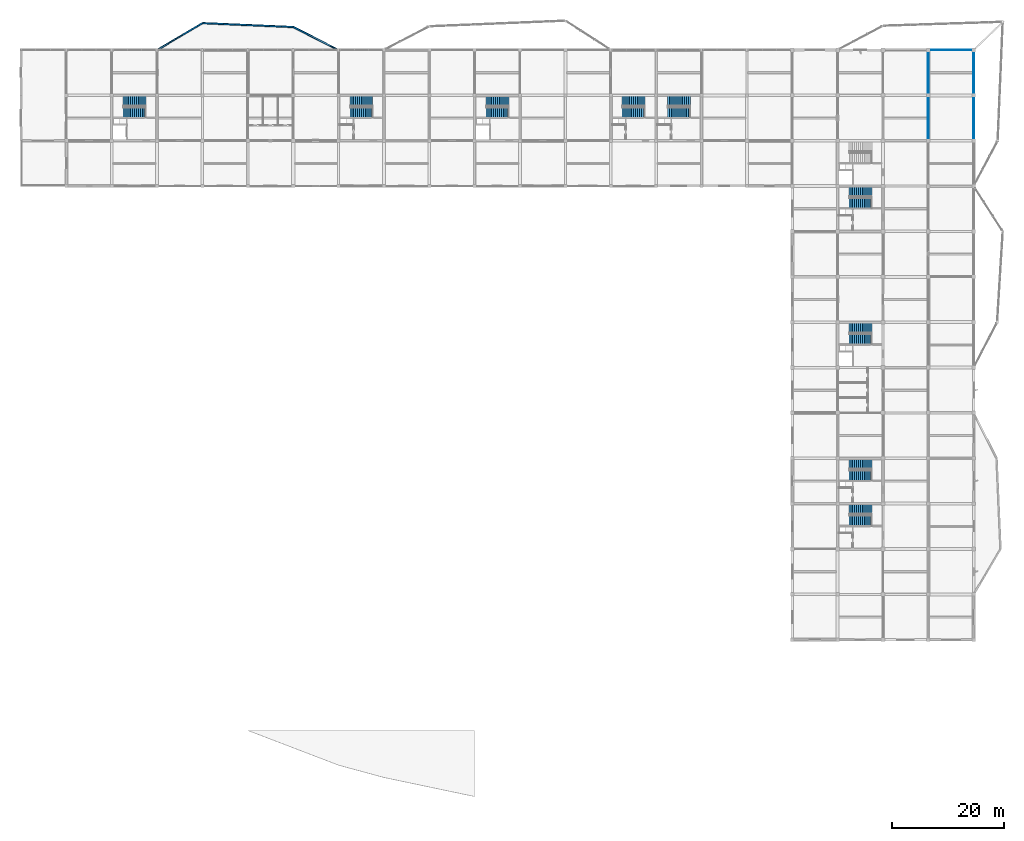
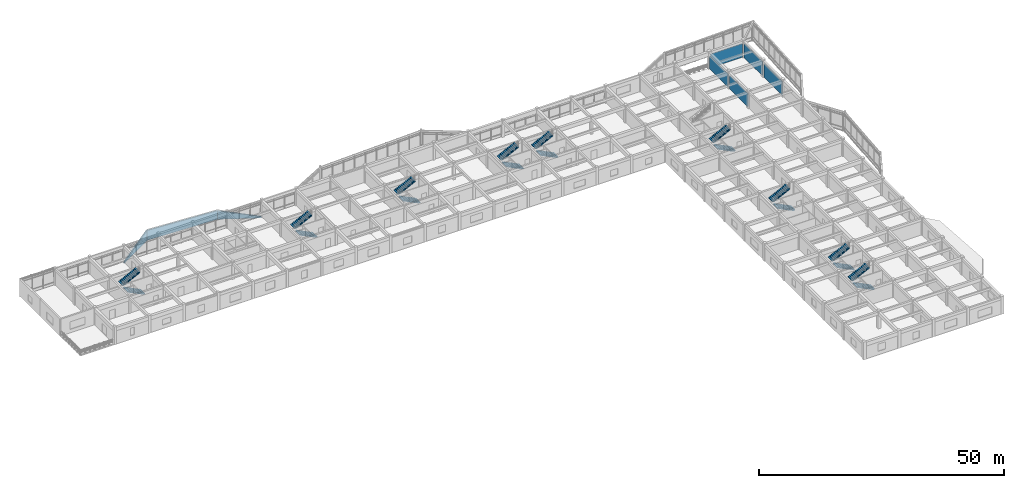
# One storey, part 35 of 42: 18 stair flights, 8 walls, 9 elements without a shape of their own.
"""IFC4 building model written with IfcOpenShell, lengths in metres."""

from ifc_helpers import new_model, si_unit, direction, frame, frame_2d, origin, place, context, subcontext, project, spatial, polyline, rectangle, outline, extrude, material, layer, layer_set, type_object, element, aggregate, save


model = new_model("IFC4")

# Units and contexts
model_context = context("Model", 3, precision=1e-05, world=origin(), true_north=direction((0.0, 1.0)))
body_context = subcontext(model_context, "Body", "Model", "MODEL_VIEW")
ifc_project = project(units=[si_unit("LENGTHUNIT", "METRE"), si_unit("AREAUNIT", "SQUARE_METRE"), si_unit("VOLUMEUNIT", "CUBIC_METRE"), si_unit("PLANEANGLEUNIT", "RADIAN"), si_unit("MASSUNIT", "GRAM", prefix="KILO")], contexts=[model_context])

# Site, building, storey
site_placement = place(None, origin())
site = spatial("IfcSite", under=ifc_project, at=site_placement, CompositionType="ELEMENT")
building_placement = place(site_placement, origin())
building = spatial("IfcBuilding", under=site, at=building_placement, Name="Vaudrelin Polytechnic", CompositionType="ELEMENT")
storey_placement = place(building_placement, frame((0.0, 0.0, 18.530029296875)))
storey = spatial("IfcBuildingStorey", under=building, at=storey_placement, Name="L04", CompositionType="ELEMENT", Elevation=18.530029296875)

# Walls
ifc_material_1 = material(Name="Precast concrete 35 MPa with standing-seam zinc rainscreen", Category="concrete")
ifc_layer_1 = layer(ifc_material_1, 0.260009765625)
ifc_layer_set_1 = layer_set([ifc_layer_1], Name="Precast concrete 35 MPa with standing-seam zinc rainscreen")
wall_type_1 = type_object("IfcWallType", Name="WAL-EW-CLER260", PredefinedType="STANDARD", material=ifc_layer_set_1)
wall_1_placement = place(storey_placement, frame((24.317138671875, 121.51025390625, -0.35009765625), z_axis=(0.0, 0.0, 1.0), x_axis=(0.860297032473, 0.509793110897, 0.0)))
element("IfcWall", 1, at=wall_1_placement, inside=storey, type_object=wall_type_1, Name="Deconstructivist pod clerestory N_OR1-1", PredefinedType="STANDARD", context=body_context, shape_type="SweptSolid", body=[
    extrude(outline(polyline([(0.0, 0.0), (9.37548828125, 0.0), (9.37548828125, 2.4599609375), (0.0, 0.360107421875), (0.0, 0.0)])), frame((0.0, 0.1298828125, 0.0), z_axis=(0.0, -1.0, 0.0), x_axis=(1.0, 0.0, 0.0)), (0.0, 0.0, 1.0), 0.260009765625),
])
wall_2_placement = place(storey_placement, frame((32.419921875, 126.299072265625, -0.35009765625), z_axis=(0.0, 0.0, 1.0), x_axis=(0.999067854956, -0.043167362599, 0.0)))
element("IfcWall", 2, at=wall_2_placement, inside=storey, type_object=wall_type_1, Name="Deconstructivist pod clerestory N_OR1-2", PredefinedType="STANDARD", context=body_context, shape_type="SweptSolid", body=[
    extrude(outline(polyline([(0.0, 0.0), (16.17529296875, 0.0), (16.175048828125, 2.15380859375), (0.0, 2.4599609375), (0.0, 0.0)])), frame((0.0, 0.1298828125, 0.0), z_axis=(0.0, -1.0, 0.0), x_axis=(1.0, 0.0, 0.0)), (0.0, 0.0, 1.0), 0.260009765625),
])
wall_3_placement = place(storey_placement, frame((48.617919921875, 125.591064453125, -0.35009765625), z_axis=(0.0, 0.0, 1.0), x_axis=(0.892206758846, -0.451627168657, 0.0)))
element("IfcWall", 3, at=wall_3_placement, inside=storey, type_object=wall_type_1, Name="Deconstructivist pod clerestory N_OR1-3", PredefinedType="STANDARD", context=body_context, shape_type="SweptSolid", body=[
    extrude(outline(polyline([(0.0, 0.0), (9.03857421875, 0.0), (9.03857421875, 0.360107421875), (0.0, 2.15380859375), (0.0, 0.0)])), frame((0.0, 0.1298828125, 0.0), z_axis=(0.0, -1.0, 0.0), x_axis=(1.0, 0.0, 0.0)), (0.0, 0.0, 1.0), 0.260009765625),
])
ifc_material_2 = material(Name="Acoustic steel-stud office & study room partition", Category="steel")
ifc_layer_2 = layer(ifc_material_2, 0.135009765625)
ifc_layer_set_2 = layer_set([ifc_layer_2], Name="Acoustic steel-stud office & study room partition")
wall_type_2 = type_object("IfcWallType", Name="WAL-PW-OFF135", PredefinedType="PARTITIONING", material=ifc_layer_set_2)
wall_4_placement = place(storey_placement, frame((162.0, 105.623046875, 0.0), z_axis=(0.0, 0.0, 1.0), x_axis=(0.0, 1.0, 0.0)))
element("IfcWall", 4, at=wall_4_placement, inside=storey, type_object=wall_type_2, Name="Partition L04-017 W", PredefinedType="PARTITIONING", context=body_context, shape_type="SweptSolid", body=[
    extrude(rectangle(XDim=7.453857421875, YDim=0.135009765625, at=frame_2d((3.72705078125, 0.0))), origin(), (0.0, 0.0, 1.0), 3.31201171875),
])
wall_5_placement = place(storey_placement, frame((162.0, 113.722900390625, 0.0), z_axis=(0.0, 0.0, 1.0), x_axis=(0.0, 1.0, 0.0)))
element("IfcWall", 5, at=wall_5_placement, inside=storey, type_object=wall_type_2, Name="Partition L04-017 W", PredefinedType="PARTITIONING", context=body_context, shape_type="SweptSolid", body=[
    extrude(rectangle(XDim=7.4541015625, YDim=0.135009765625, at=frame_2d((3.72705078125, 0.0))), origin(), (0.0, 0.0, 1.0), 3.2119140625),
])
wall_6_placement = place(storey_placement, frame((162.322998046875, 121.5, 0.0), z_axis=(0.0, 0.0, 1.0), x_axis=(1.0, 0.0, 0.0)))
element("IfcWall", 6, at=wall_6_placement, inside=storey, type_object=wall_type_2, Name="Partition L04-017 N", PredefinedType="PARTITIONING", context=body_context, shape_type="SweptSolid", body=[
    extrude(rectangle(XDim=7.4541015625, YDim=0.135009765625, at=frame_2d((3.72705078125, 0.0))), origin(), (0.0, 0.0, 1.0), 3.411865234375),
])
wall_7_placement = place(storey_placement, frame((170.10009765625, 105.623046875, 0.0), z_axis=(0.0, 0.0, 1.0), x_axis=(0.0, 1.0, 0.0)))
element("IfcWall", 7, at=wall_7_placement, inside=storey, type_object=wall_type_2, Name="Partition L04-017 E", PredefinedType="PARTITIONING", context=body_context, shape_type="SweptSolid", body=[
    extrude(rectangle(XDim=7.453857421875, YDim=0.135009765625, at=frame_2d((3.72705078125, 0.0))), origin(), (0.0, 0.0, 1.0), 3.411865234375),
])
wall_8_placement = place(storey_placement, frame((170.10009765625, 113.722900390625, 0.0), z_axis=(0.0, 0.0, 1.0), x_axis=(0.0, 1.0, 0.0)))
element("IfcWall", 8, at=wall_8_placement, inside=storey, type_object=wall_type_2, Name="Partition L04-017 E", PredefinedType="PARTITIONING", context=body_context, shape_type="SweptSolid", body=[
    extrude(rectangle(XDim=7.4541015625, YDim=0.135009765625, at=frame_2d((3.72705078125, 0.0))), origin(), (0.0, 0.0, 1.0), 3.511962890625),
])

# Stair, stair flights
ifc_material_3 = material(Name="Concrete 35 MPa", Category="concrete")
stair_type = type_object("IfcStairType", Name="STR-ST-CORE", PredefinedType="TWO_STRAIGHT_RUN_STAIR", material=ifc_material_3)
stair_1_placement = place(storey_placement, origin())
stair_1 = element("IfcStair", 9, at=stair_1_placement, inside=storey, type_object=stair_type, Name="Exit stair ST-01-L04", PredefinedType="TWO_STRAIGHT_RUN_STAIR")
stair_flight_type = type_object("IfcStairFlightType", Name="STF-STF-CORE", PredefinedType="STRAIGHT", material=ifc_material_3)
stair_flight_1_placement = place(storey_placement, frame((22.340087890625, 110.3701171875, 0.0), z_axis=(0.0, 0.0, 1.0), x_axis=(-1.0, 0.0, 0.0)))
stair_flight_1 = element("IfcStairFlight", 10, at=stair_flight_1_placement, type_object=stair_flight_type, Name="ST-01-L04 flight 1", NumberOfRisers=13, NumberOfTreads=12, PredefinedType="STRAIGHT", RiserHeight=0.17, TreadLength=0.34417, context=body_context, shape_type="SweptSolid", body=[
    extrude(outline(polyline([(0.0, 0.0), (0.0, 0.169921875), (0.34423828125, 0.169921875), (0.34423828125, 0.340087890625), (0.688232421875, 0.340087890625), (0.688232421875, 0.510009765625), (1.032470703125, 0.510009765625), (1.032470703125, 0.679931640625), (1.376708984375, 0.679931640625), (1.376708984375, 0.85009765625), (1.720947265625, 0.85009765625), (1.720947265625, 1.02001953125), (2.06494140625, 1.02001953125), (2.06494140625, 1.18994140625), (2.4091796875, 1.18994140625), (2.4091796875, 1.360107421875), (2.75341796875, 1.360107421875), (2.75341796875, 1.530029296875), (3.097412109375, 1.530029296875), (3.097412109375, 1.699951171875), (3.441650390625, 1.699951171875), (3.441650390625, 1.8701171875), (3.785888671875, 1.8701171875), (3.785888671875, 2.0400390625), (4.130126953125, 2.0400390625), (4.130126953125, 2.2099609375), (4.130126953125, 1.81689453125), (0.451416015625, 0.0), (0.0, 0.0)])), frame((0.0, 0.91015625, 0.0), z_axis=(0.0, -1.0, 0.0), x_axis=(1.0, 0.0, 0.0)), (0.0, 0.0, 1.0), 1.820068359375),
])
stair_flight_2_placement = place(storey_placement, frame((18.2099609375, 112.389892578125, 2.2099609375), z_axis=(0.0, 0.0, 1.0), x_axis=(1.0, 0.0, 0.0)))
stair_flight_2 = element("IfcStairFlight", 11, at=stair_flight_2_placement, type_object=stair_flight_type, Name="ST-01-L04 flight 2", NumberOfRisers=13, NumberOfTreads=12, PredefinedType="STRAIGHT", RiserHeight=0.17, TreadLength=0.34083, context=body_context, shape_type="SweptSolid", body=[
    extrude(outline(polyline([(0.0, 0.0), (0.0, 0.169921875), (0.3408203125, 0.169921875), (0.3408203125, 0.340087890625), (0.681640625, 0.340087890625), (0.681640625, 0.510009765625), (1.0224609375, 0.510009765625), (1.0224609375, 0.679931640625), (1.36328125, 0.679931640625), (1.36328125, 0.85009765625), (1.7041015625, 0.85009765625), (1.7041015625, 1.02001953125), (2.044921875, 1.02001953125), (2.044921875, 1.18994140625), (2.3857421875, 1.18994140625), (2.3857421875, 1.360107421875), (2.7265625, 1.360107421875), (2.7265625, 1.530029296875), (3.0673828125, 1.530029296875), (3.0673828125, 1.699951171875), (3.408203125, 1.699951171875), (3.408203125, 1.8701171875), (3.7490234375, 1.8701171875), (3.7490234375, 2.0400390625), (4.08984375, 2.0400390625), (4.08984375, 2.2099609375), (4.08984375, 1.816650390625), (0.447998046875, 0.0), (0.0, 0.0)])), frame((0.0, 0.91015625, 0.0), z_axis=(0.0, -1.0, 0.0), x_axis=(1.0, 0.0, 0.0)), (0.0, 0.0, 1.0), 1.820068359375),
])
aggregate(stair_1, [stair_flight_1, stair_flight_2])

stair_2_placement = place(storey_placement, origin())
stair_2 = element("IfcStair", 12, at=stair_2_placement, inside=storey, type_object=stair_type, Name="Exit stair ST-02-L04", PredefinedType="TWO_STRAIGHT_RUN_STAIR")
stair_flight_3_placement = place(storey_placement, frame((87.139892578125, 110.3701171875, 0.0), z_axis=(0.0, 0.0, 1.0), x_axis=(-1.0, 0.0, 0.0)))
stair_flight_3 = element("IfcStairFlight", 13, at=stair_flight_3_placement, type_object=stair_flight_type, Name="ST-02-L04 flight 1", NumberOfRisers=13, NumberOfTreads=12, PredefinedType="STRAIGHT", RiserHeight=0.17, TreadLength=0.34417, context=body_context, shape_type="SweptSolid", body=[
    extrude(outline(polyline([(0.0, 0.0), (0.0, 0.169921875), (0.34423828125, 0.169921875), (0.34423828125, 0.340087890625), (0.688232421875, 0.340087890625), (0.688232421875, 0.510009765625), (1.032470703125, 0.510009765625), (1.032470703125, 0.679931640625), (1.376708984375, 0.679931640625), (1.376708984375, 0.85009765625), (1.720947265625, 0.85009765625), (1.720947265625, 1.02001953125), (2.06494140625, 1.02001953125), (2.06494140625, 1.18994140625), (2.4091796875, 1.18994140625), (2.4091796875, 1.360107421875), (2.75341796875, 1.360107421875), (2.75341796875, 1.530029296875), (3.097412109375, 1.530029296875), (3.097412109375, 1.699951171875), (3.441650390625, 1.699951171875), (3.441650390625, 1.8701171875), (3.785888671875, 1.8701171875), (3.785888671875, 2.0400390625), (4.130126953125, 2.0400390625), (4.130126953125, 2.2099609375), (4.130126953125, 1.81689453125), (0.451416015625, 0.0), (0.0, 0.0)])), frame((0.0, 0.91015625, 0.0), z_axis=(0.0, -1.0, 0.0), x_axis=(1.0, 0.0, 0.0)), (0.0, 0.0, 1.0), 1.820068359375),
])
stair_flight_4_placement = place(storey_placement, frame((83.010009765625, 112.389892578125, 2.2099609375), z_axis=(0.0, 0.0, 1.0), x_axis=(1.0, 0.0, 0.0)))
stair_flight_4 = element("IfcStairFlight", 14, at=stair_flight_4_placement, type_object=stair_flight_type, Name="ST-02-L04 flight 2", NumberOfRisers=13, NumberOfTreads=12, PredefinedType="STRAIGHT", RiserHeight=0.17, TreadLength=0.34083, context=body_context, shape_type="SweptSolid", body=[
    extrude(outline(polyline([(0.0, 0.0), (0.0, 0.169921875), (0.3408203125, 0.169921875), (0.3408203125, 0.340087890625), (0.681640625, 0.340087890625), (0.681640625, 0.510009765625), (1.0224609375, 0.510009765625), (1.0224609375, 0.679931640625), (1.36328125, 0.679931640625), (1.36328125, 0.85009765625), (1.7041015625, 0.85009765625), (1.7041015625, 1.02001953125), (2.044921875, 1.02001953125), (2.044921875, 1.18994140625), (2.3857421875, 1.18994140625), (2.3857421875, 1.360107421875), (2.7265625, 1.360107421875), (2.7265625, 1.530029296875), (3.0673828125, 1.530029296875), (3.0673828125, 1.699951171875), (3.408203125, 1.699951171875), (3.408203125, 1.8701171875), (3.7490234375, 1.8701171875), (3.7490234375, 2.0400390625), (4.08984375, 2.0400390625), (4.08984375, 2.2099609375), (4.08984375, 1.816650390625), (0.447998046875, 0.0), (0.0, 0.0)])), frame((0.0, 0.91015625, 0.0), z_axis=(0.0, -1.0, 0.0), x_axis=(1.0, 0.0, 0.0)), (0.0, 0.0, 1.0), 1.820068359375),
])
aggregate(stair_2, [stair_flight_3, stair_flight_4])

stair_3_placement = place(storey_placement, origin())
stair_3 = element("IfcStair", 15, at=stair_3_placement, inside=storey, type_object=stair_type, Name="Exit stair ST-07-L04", PredefinedType="TWO_STRAIGHT_RUN_STAIR")
stair_flight_5_placement = place(storey_placement, frame((151.93994140625, 69.8701171875, 0.0), z_axis=(0.0, 0.0, 1.0), x_axis=(-1.0, 0.0, 0.0)))
stair_flight_5 = element("IfcStairFlight", 16, at=stair_flight_5_placement, type_object=stair_flight_type, Name="ST-07-L04 flight 1", NumberOfRisers=13, NumberOfTreads=12, PredefinedType="STRAIGHT", RiserHeight=0.17, TreadLength=0.34417, context=body_context, shape_type="SweptSolid", body=[
    extrude(outline(polyline([(0.0, 0.0), (0.0, 0.169921875), (0.34423828125, 0.169921875), (0.34423828125, 0.340087890625), (0.688232421875, 0.340087890625), (0.688232421875, 0.510009765625), (1.032470703125, 0.510009765625), (1.032470703125, 0.679931640625), (1.376708984375, 0.679931640625), (1.376708984375, 0.85009765625), (1.720947265625, 0.85009765625), (1.720947265625, 1.02001953125), (2.06494140625, 1.02001953125), (2.06494140625, 1.18994140625), (2.4091796875, 1.18994140625), (2.4091796875, 1.360107421875), (2.75341796875, 1.360107421875), (2.75341796875, 1.530029296875), (3.097412109375, 1.530029296875), (3.097412109375, 1.699951171875), (3.441650390625, 1.699951171875), (3.441650390625, 1.8701171875), (3.785888671875, 1.8701171875), (3.785888671875, 2.0400390625), (4.130126953125, 2.0400390625), (4.130126953125, 2.2099609375), (4.130126953125, 1.81689453125), (0.451416015625, 0.0), (0.0, 0.0)])), frame((0.0, 0.91015625, 0.0), z_axis=(0.0, -1.0, 0.0), x_axis=(1.0, 0.0, 0.0)), (0.0, 0.0, 1.0), 1.820068359375),
])
stair_flight_6_placement = place(storey_placement, frame((147.81005859375, 71.889892578125, 2.2099609375), z_axis=(0.0, 0.0, 1.0), x_axis=(1.0, 0.0, 0.0)))
stair_flight_6 = element("IfcStairFlight", 17, at=stair_flight_6_placement, type_object=stair_flight_type, Name="ST-07-L04 flight 2", NumberOfRisers=13, NumberOfTreads=12, PredefinedType="STRAIGHT", RiserHeight=0.17, TreadLength=0.34083, context=body_context, shape_type="SweptSolid", body=[
    extrude(outline(polyline([(0.0, 0.0), (0.0, 0.169921875), (0.3408203125, 0.169921875), (0.3408203125, 0.340087890625), (0.681640625, 0.340087890625), (0.681640625, 0.510009765625), (1.0224609375, 0.510009765625), (1.0224609375, 0.679931640625), (1.36328125, 0.679931640625), (1.36328125, 0.85009765625), (1.7041015625, 0.85009765625), (1.7041015625, 1.02001953125), (2.044921875, 1.02001953125), (2.044921875, 1.18994140625), (2.3857421875, 1.18994140625), (2.3857421875, 1.360107421875), (2.7265625, 1.360107421875), (2.7265625, 1.530029296875), (3.0673828125, 1.530029296875), (3.0673828125, 1.699951171875), (3.408203125, 1.699951171875), (3.408203125, 1.8701171875), (3.7490234375, 1.8701171875), (3.7490234375, 2.0400390625), (4.08984375, 2.0400390625), (4.08984375, 2.2099609375), (4.08984375, 1.816650390625), (0.447998046875, 0.0), (0.0, 0.0)])), frame((0.0, 0.91015625, 0.0), z_axis=(0.0, -1.0, 0.0), x_axis=(1.0, 0.0, 0.0)), (0.0, 0.0, 1.0), 1.820068359375),
])
aggregate(stair_3, [stair_flight_5, stair_flight_6])

stair_4_placement = place(storey_placement, origin())
stair_4 = element("IfcStair", 18, at=stair_4_placement, inside=storey, type_object=stair_type, Name="Exit stair ST-08-L04", PredefinedType="TWO_STRAIGHT_RUN_STAIR")
stair_flight_7_placement = place(storey_placement, frame((151.93994140625, 37.469970703125, 0.0), z_axis=(0.0, 0.0, 1.0), x_axis=(-1.0, 0.0, 0.0)))
stair_flight_7 = element("IfcStairFlight", 19, at=stair_flight_7_placement, type_object=stair_flight_type, Name="ST-08-L04 flight 1", NumberOfRisers=13, NumberOfTreads=12, PredefinedType="STRAIGHT", RiserHeight=0.17, TreadLength=0.34417, context=body_context, shape_type="SweptSolid", body=[
    extrude(outline(polyline([(0.0, 0.0), (0.0, 0.169921875), (0.34423828125, 0.169921875), (0.34423828125, 0.340087890625), (0.688232421875, 0.340087890625), (0.688232421875, 0.510009765625), (1.032470703125, 0.510009765625), (1.032470703125, 0.679931640625), (1.376708984375, 0.679931640625), (1.376708984375, 0.85009765625), (1.720947265625, 0.85009765625), (1.720947265625, 1.02001953125), (2.06494140625, 1.02001953125), (2.06494140625, 1.18994140625), (2.4091796875, 1.18994140625), (2.4091796875, 1.360107421875), (2.75341796875, 1.360107421875), (2.75341796875, 1.530029296875), (3.097412109375, 1.530029296875), (3.097412109375, 1.699951171875), (3.441650390625, 1.699951171875), (3.441650390625, 1.8701171875), (3.785888671875, 1.8701171875), (3.785888671875, 2.0400390625), (4.130126953125, 2.0400390625), (4.130126953125, 2.2099609375), (4.130126953125, 1.81689453125), (0.451416015625, 0.0), (0.0, 0.0)])), frame((0.0, 0.91015625, 0.0), z_axis=(0.0, -1.0, 0.0), x_axis=(1.0, 0.0, 0.0)), (0.0, 0.0, 1.0), 1.820068359375),
])
stair_flight_8_placement = place(storey_placement, frame((147.81005859375, 39.489990234375, 2.2099609375), z_axis=(0.0, 0.0, 1.0), x_axis=(1.0, 0.0, 0.0)))
stair_flight_8 = element("IfcStairFlight", 20, at=stair_flight_8_placement, type_object=stair_flight_type, Name="ST-08-L04 flight 2", NumberOfRisers=13, NumberOfTreads=12, PredefinedType="STRAIGHT", RiserHeight=0.17, TreadLength=0.34083, context=body_context, shape_type="SweptSolid", body=[
    extrude(outline(polyline([(0.0, 0.0), (0.0, 0.169921875), (0.3408203125, 0.169921875), (0.3408203125, 0.340087890625), (0.681640625, 0.340087890625), (0.681640625, 0.510009765625), (1.0224609375, 0.510009765625), (1.0224609375, 0.679931640625), (1.36328125, 0.679931640625), (1.36328125, 0.85009765625), (1.7041015625, 0.85009765625), (1.7041015625, 1.02001953125), (2.044921875, 1.02001953125), (2.044921875, 1.18994140625), (2.3857421875, 1.18994140625), (2.3857421875, 1.360107421875), (2.7265625, 1.360107421875), (2.7265625, 1.530029296875), (3.0673828125, 1.530029296875), (3.0673828125, 1.699951171875), (3.408203125, 1.699951171875), (3.408203125, 1.8701171875), (3.7490234375, 1.8701171875), (3.7490234375, 2.0400390625), (4.08984375, 2.0400390625), (4.08984375, 2.2099609375), (4.08984375, 1.816650390625), (0.447998046875, 0.0), (0.0, 0.0)])), frame((0.0, 0.91015625, 0.0), z_axis=(0.0, -1.0, 0.0), x_axis=(1.0, 0.0, 0.0)), (0.0, 0.0, 1.0), 1.820068359375),
])
aggregate(stair_4, [stair_flight_7, stair_flight_8])

stair_5_placement = place(storey_placement, origin())
stair_5 = element("IfcStair", 21, at=stair_5_placement, inside=storey, type_object=stair_type, Name="Exit stair ST-09-L04", PredefinedType="TWO_STRAIGHT_RUN_STAIR")
stair_flight_9_placement = place(storey_placement, frame((62.840087890625, 110.3701171875, 0.0), z_axis=(0.0, 0.0, 1.0), x_axis=(-1.0, 0.0, 0.0)))
stair_flight_9 = element("IfcStairFlight", 22, at=stair_flight_9_placement, type_object=stair_flight_type, Name="ST-09-L04 flight 1", NumberOfRisers=13, NumberOfTreads=12, PredefinedType="STRAIGHT", RiserHeight=0.17, TreadLength=0.34417, context=body_context, shape_type="SweptSolid", body=[
    extrude(outline(polyline([(0.0, 0.0), (0.0, 0.169921875), (0.34423828125, 0.169921875), (0.34423828125, 0.340087890625), (0.688232421875, 0.340087890625), (0.688232421875, 0.510009765625), (1.032470703125, 0.510009765625), (1.032470703125, 0.679931640625), (1.376708984375, 0.679931640625), (1.376708984375, 0.85009765625), (1.720947265625, 0.85009765625), (1.720947265625, 1.02001953125), (2.06494140625, 1.02001953125), (2.06494140625, 1.18994140625), (2.4091796875, 1.18994140625), (2.4091796875, 1.360107421875), (2.75341796875, 1.360107421875), (2.75341796875, 1.530029296875), (3.097412109375, 1.530029296875), (3.097412109375, 1.699951171875), (3.441650390625, 1.699951171875), (3.441650390625, 1.8701171875), (3.785888671875, 1.8701171875), (3.785888671875, 2.0400390625), (4.130126953125, 2.0400390625), (4.130126953125, 2.2099609375), (4.130126953125, 1.81689453125), (0.451416015625, 0.0), (0.0, 0.0)])), frame((0.0, 0.91015625, 0.0), z_axis=(0.0, -1.0, 0.0), x_axis=(1.0, 0.0, 0.0)), (0.0, 0.0, 1.0), 1.820068359375),
])
stair_flight_10_placement = place(storey_placement, frame((58.7099609375, 112.389892578125, 2.2099609375), z_axis=(0.0, 0.0, 1.0), x_axis=(1.0, 0.0, 0.0)))
stair_flight_10 = element("IfcStairFlight", 23, at=stair_flight_10_placement, type_object=stair_flight_type, Name="ST-09-L04 flight 2", NumberOfRisers=13, NumberOfTreads=12, PredefinedType="STRAIGHT", RiserHeight=0.17, TreadLength=0.34083, context=body_context, shape_type="SweptSolid", body=[
    extrude(outline(polyline([(0.0, 0.0), (0.0, 0.169921875), (0.3408203125, 0.169921875), (0.3408203125, 0.340087890625), (0.681640625, 0.340087890625), (0.681640625, 0.510009765625), (1.0224609375, 0.510009765625), (1.0224609375, 0.679931640625), (1.36328125, 0.679931640625), (1.36328125, 0.85009765625), (1.7041015625, 0.85009765625), (1.7041015625, 1.02001953125), (2.044921875, 1.02001953125), (2.044921875, 1.18994140625), (2.3857421875, 1.18994140625), (2.3857421875, 1.360107421875), (2.7265625, 1.360107421875), (2.7265625, 1.530029296875), (3.0673828125, 1.530029296875), (3.0673828125, 1.699951171875), (3.408203125, 1.699951171875), (3.408203125, 1.8701171875), (3.7490234375, 1.8701171875), (3.7490234375, 2.0400390625), (4.08984375, 2.0400390625), (4.08984375, 2.2099609375), (4.08984375, 1.816650390625), (0.447998046875, 0.0), (0.0, 0.0)])), frame((0.0, 0.91015625, 0.0), z_axis=(0.0, -1.0, 0.0), x_axis=(1.0, 0.0, 0.0)), (0.0, 0.0, 1.0), 1.820068359375),
])
aggregate(stair_5, [stair_flight_9, stair_flight_10])

stair_6_placement = place(storey_placement, origin())
stair_6 = element("IfcStair", 24, at=stair_6_placement, inside=storey, type_object=stair_type, Name="Exit stair ST-10-L04", PredefinedType="TWO_STRAIGHT_RUN_STAIR")
stair_flight_11_placement = place(storey_placement, frame((119.5400390625, 110.3701171875, 0.0), z_axis=(0.0, 0.0, 1.0), x_axis=(-1.0, 0.0, 0.0)))
stair_flight_11 = element("IfcStairFlight", 25, at=stair_flight_11_placement, type_object=stair_flight_type, Name="ST-10-L04 flight 1", NumberOfRisers=13, NumberOfTreads=12, PredefinedType="STRAIGHT", RiserHeight=0.17, TreadLength=0.34417, context=body_context, shape_type="SweptSolid", body=[
    extrude(outline(polyline([(0.0, 0.0), (0.0, 0.169921875), (0.34423828125, 0.169921875), (0.34423828125, 0.340087890625), (0.688232421875, 0.340087890625), (0.688232421875, 0.510009765625), (1.032470703125, 0.510009765625), (1.032470703125, 0.679931640625), (1.376708984375, 0.679931640625), (1.376708984375, 0.85009765625), (1.720947265625, 0.85009765625), (1.720947265625, 1.02001953125), (2.06494140625, 1.02001953125), (2.06494140625, 1.18994140625), (2.4091796875, 1.18994140625), (2.4091796875, 1.360107421875), (2.75341796875, 1.360107421875), (2.75341796875, 1.530029296875), (3.097412109375, 1.530029296875), (3.097412109375, 1.699951171875), (3.441650390625, 1.699951171875), (3.441650390625, 1.8701171875), (3.785888671875, 1.8701171875), (3.785888671875, 2.0400390625), (4.130126953125, 2.0400390625), (4.130126953125, 2.2099609375), (4.130126953125, 1.81689453125), (0.451416015625, 0.0), (0.0, 0.0)])), frame((0.0, 0.91015625, 0.0), z_axis=(0.0, -1.0, 0.0), x_axis=(1.0, 0.0, 0.0)), (0.0, 0.0, 1.0), 1.820068359375),
])
stair_flight_12_placement = place(storey_placement, frame((115.409912109375, 112.389892578125, 2.2099609375), z_axis=(0.0, 0.0, 1.0), x_axis=(1.0, 0.0, 0.0)))
stair_flight_12 = element("IfcStairFlight", 26, at=stair_flight_12_placement, type_object=stair_flight_type, Name="ST-10-L04 flight 2", NumberOfRisers=13, NumberOfTreads=12, PredefinedType="STRAIGHT", RiserHeight=0.17, TreadLength=0.34083, context=body_context, shape_type="SweptSolid", body=[
    extrude(outline(polyline([(0.0, 0.0), (0.0, 0.169921875), (0.3408203125, 0.169921875), (0.3408203125, 0.340087890625), (0.681640625, 0.340087890625), (0.681640625, 0.510009765625), (1.0224609375, 0.510009765625), (1.0224609375, 0.679931640625), (1.36328125, 0.679931640625), (1.36328125, 0.85009765625), (1.7041015625, 0.85009765625), (1.7041015625, 1.02001953125), (2.044921875, 1.02001953125), (2.044921875, 1.18994140625), (2.3857421875, 1.18994140625), (2.3857421875, 1.360107421875), (2.7265625, 1.360107421875), (2.7265625, 1.530029296875), (3.0673828125, 1.530029296875), (3.0673828125, 1.699951171875), (3.408203125, 1.699951171875), (3.408203125, 1.8701171875), (3.7490234375, 1.8701171875), (3.7490234375, 2.0400390625), (4.08984375, 2.0400390625), (4.08984375, 2.2099609375), (4.08984375, 1.816650390625), (0.447998046875, 0.0), (0.0, 0.0)])), frame((0.0, 0.91015625, 0.0), z_axis=(0.0, -1.0, 0.0), x_axis=(1.0, 0.0, 0.0)), (0.0, 0.0, 1.0), 1.820068359375),
])
aggregate(stair_6, [stair_flight_11, stair_flight_12])

stair_7_placement = place(storey_placement, origin())
stair_7 = element("IfcStair", 27, at=stair_7_placement, inside=storey, type_object=stair_type, Name="Exit stair ST-11-L04", PredefinedType="TWO_STRAIGHT_RUN_STAIR")
stair_flight_13_placement = place(storey_placement, frame((111.43994140625, 110.3701171875, 0.0), z_axis=(0.0, 0.0, 1.0), x_axis=(-1.0, 0.0, 0.0)))
stair_flight_13 = element("IfcStairFlight", 28, at=stair_flight_13_placement, type_object=stair_flight_type, Name="ST-11-L04 flight 1", NumberOfRisers=13, NumberOfTreads=12, PredefinedType="STRAIGHT", RiserHeight=0.17, TreadLength=0.34417, context=body_context, shape_type="SweptSolid", body=[
    extrude(outline(polyline([(0.0, 0.0), (0.0, 0.169921875), (0.34423828125, 0.169921875), (0.34423828125, 0.340087890625), (0.688232421875, 0.340087890625), (0.688232421875, 0.510009765625), (1.032470703125, 0.510009765625), (1.032470703125, 0.679931640625), (1.376708984375, 0.679931640625), (1.376708984375, 0.85009765625), (1.720947265625, 0.85009765625), (1.720947265625, 1.02001953125), (2.06494140625, 1.02001953125), (2.06494140625, 1.18994140625), (2.4091796875, 1.18994140625), (2.4091796875, 1.360107421875), (2.75341796875, 1.360107421875), (2.75341796875, 1.530029296875), (3.097412109375, 1.530029296875), (3.097412109375, 1.699951171875), (3.441650390625, 1.699951171875), (3.441650390625, 1.8701171875), (3.785888671875, 1.8701171875), (3.785888671875, 2.0400390625), (4.130126953125, 2.0400390625), (4.130126953125, 2.2099609375), (4.130126953125, 1.81689453125), (0.451416015625, 0.0), (0.0, 0.0)])), frame((0.0, 0.91015625, 0.0), z_axis=(0.0, -1.0, 0.0), x_axis=(1.0, 0.0, 0.0)), (0.0, 0.0, 1.0), 1.820068359375),
])
stair_flight_14_placement = place(storey_placement, frame((107.31005859375, 112.389892578125, 2.2099609375), z_axis=(0.0, 0.0, 1.0), x_axis=(1.0, 0.0, 0.0)))
stair_flight_14 = element("IfcStairFlight", 29, at=stair_flight_14_placement, type_object=stair_flight_type, Name="ST-11-L04 flight 2", NumberOfRisers=13, NumberOfTreads=12, PredefinedType="STRAIGHT", RiserHeight=0.17, TreadLength=0.34083, context=body_context, shape_type="SweptSolid", body=[
    extrude(outline(polyline([(0.0, 0.0), (0.0, 0.169921875), (0.3408203125, 0.169921875), (0.3408203125, 0.340087890625), (0.681640625, 0.340087890625), (0.681640625, 0.510009765625), (1.0224609375, 0.510009765625), (1.0224609375, 0.679931640625), (1.36328125, 0.679931640625), (1.36328125, 0.85009765625), (1.7041015625, 0.85009765625), (1.7041015625, 1.02001953125), (2.044921875, 1.02001953125), (2.044921875, 1.18994140625), (2.3857421875, 1.18994140625), (2.3857421875, 1.360107421875), (2.7265625, 1.360107421875), (2.7265625, 1.530029296875), (3.0673828125, 1.530029296875), (3.0673828125, 1.699951171875), (3.408203125, 1.699951171875), (3.408203125, 1.8701171875), (3.7490234375, 1.8701171875), (3.7490234375, 2.0400390625), (4.08984375, 2.0400390625), (4.08984375, 2.2099609375), (4.08984375, 1.816650390625), (0.447998046875, 0.0), (0.0, 0.0)])), frame((0.0, 0.91015625, 0.0), z_axis=(0.0, -1.0, 0.0), x_axis=(1.0, 0.0, 0.0)), (0.0, 0.0, 1.0), 1.820068359375),
])
aggregate(stair_7, [stair_flight_13, stair_flight_14])

stair_8_placement = place(storey_placement, origin())
stair_8 = element("IfcStair", 30, at=stair_8_placement, inside=storey, type_object=stair_type, Name="Exit stair ST-12-L04", PredefinedType="TWO_STRAIGHT_RUN_STAIR")
stair_flight_15_placement = place(storey_placement, frame((151.93994140625, 45.570068359375, 0.0), z_axis=(0.0, 0.0, 1.0), x_axis=(-1.0, 0.0, 0.0)))
stair_flight_15 = element("IfcStairFlight", 31, at=stair_flight_15_placement, type_object=stair_flight_type, Name="ST-12-L04 flight 1", NumberOfRisers=13, NumberOfTreads=12, PredefinedType="STRAIGHT", RiserHeight=0.17, TreadLength=0.34417, context=body_context, shape_type="SweptSolid", body=[
    extrude(outline(polyline([(0.0, 0.0), (0.0, 0.169921875), (0.34423828125, 0.169921875), (0.34423828125, 0.340087890625), (0.688232421875, 0.340087890625), (0.688232421875, 0.510009765625), (1.032470703125, 0.510009765625), (1.032470703125, 0.679931640625), (1.376708984375, 0.679931640625), (1.376708984375, 0.85009765625), (1.720947265625, 0.85009765625), (1.720947265625, 1.02001953125), (2.06494140625, 1.02001953125), (2.06494140625, 1.18994140625), (2.4091796875, 1.18994140625), (2.4091796875, 1.360107421875), (2.75341796875, 1.360107421875), (2.75341796875, 1.530029296875), (3.097412109375, 1.530029296875), (3.097412109375, 1.699951171875), (3.441650390625, 1.699951171875), (3.441650390625, 1.8701171875), (3.785888671875, 1.8701171875), (3.785888671875, 2.0400390625), (4.130126953125, 2.0400390625), (4.130126953125, 2.2099609375), (4.130126953125, 1.81689453125), (0.451416015625, 0.0), (0.0, 0.0)])), frame((0.0, 0.91015625, 0.0), z_axis=(0.0, -1.0, 0.0), x_axis=(1.0, 0.0, 0.0)), (0.0, 0.0, 1.0), 1.820068359375),
])
stair_flight_16_placement = place(storey_placement, frame((147.81005859375, 47.590087890625, 2.2099609375), z_axis=(0.0, 0.0, 1.0), x_axis=(1.0, 0.0, 0.0)))
stair_flight_16 = element("IfcStairFlight", 32, at=stair_flight_16_placement, type_object=stair_flight_type, Name="ST-12-L04 flight 2", NumberOfRisers=13, NumberOfTreads=12, PredefinedType="STRAIGHT", RiserHeight=0.17, TreadLength=0.34083, context=body_context, shape_type="SweptSolid", body=[
    extrude(outline(polyline([(0.0, 0.0), (0.0, 0.169921875), (0.3408203125, 0.169921875), (0.3408203125, 0.340087890625), (0.681640625, 0.340087890625), (0.681640625, 0.510009765625), (1.0224609375, 0.510009765625), (1.0224609375, 0.679931640625), (1.36328125, 0.679931640625), (1.36328125, 0.85009765625), (1.7041015625, 0.85009765625), (1.7041015625, 1.02001953125), (2.044921875, 1.02001953125), (2.044921875, 1.18994140625), (2.3857421875, 1.18994140625), (2.3857421875, 1.360107421875), (2.7265625, 1.360107421875), (2.7265625, 1.530029296875), (3.0673828125, 1.530029296875), (3.0673828125, 1.699951171875), (3.408203125, 1.699951171875), (3.408203125, 1.8701171875), (3.7490234375, 1.8701171875), (3.7490234375, 2.0400390625), (4.08984375, 2.0400390625), (4.08984375, 2.2099609375), (4.08984375, 1.816650390625), (0.447998046875, 0.0), (0.0, 0.0)])), frame((0.0, 0.91015625, 0.0), z_axis=(0.0, -1.0, 0.0), x_axis=(1.0, 0.0, 0.0)), (0.0, 0.0, 1.0), 1.820068359375),
])
aggregate(stair_8, [stair_flight_15, stair_flight_16])

stair_9_placement = place(storey_placement, origin())
stair_9 = element("IfcStair", 33, at=stair_9_placement, inside=storey, type_object=stair_type, Name="Exit stair ST-13-L04", PredefinedType="TWO_STRAIGHT_RUN_STAIR")
stair_flight_17_placement = place(storey_placement, frame((151.93994140625, 94.169921875, 0.0), z_axis=(0.0, 0.0, 1.0), x_axis=(-1.0, 0.0, 0.0)))
stair_flight_17 = element("IfcStairFlight", 34, at=stair_flight_17_placement, type_object=stair_flight_type, Name="ST-13-L04 flight 1", NumberOfRisers=13, NumberOfTreads=12, PredefinedType="STRAIGHT", RiserHeight=0.17, TreadLength=0.34417, context=body_context, shape_type="SweptSolid", body=[
    extrude(outline(polyline([(0.0, 0.0), (0.0, 0.169921875), (0.34423828125, 0.169921875), (0.34423828125, 0.340087890625), (0.688232421875, 0.340087890625), (0.688232421875, 0.510009765625), (1.032470703125, 0.510009765625), (1.032470703125, 0.679931640625), (1.376708984375, 0.679931640625), (1.376708984375, 0.85009765625), (1.720947265625, 0.85009765625), (1.720947265625, 1.02001953125), (2.06494140625, 1.02001953125), (2.06494140625, 1.18994140625), (2.4091796875, 1.18994140625), (2.4091796875, 1.360107421875), (2.75341796875, 1.360107421875), (2.75341796875, 1.530029296875), (3.097412109375, 1.530029296875), (3.097412109375, 1.699951171875), (3.441650390625, 1.699951171875), (3.441650390625, 1.8701171875), (3.785888671875, 1.8701171875), (3.785888671875, 2.0400390625), (4.130126953125, 2.0400390625), (4.130126953125, 2.2099609375), (4.130126953125, 1.81689453125), (0.451416015625, 0.0), (0.0, 0.0)])), frame((0.0, 0.91015625, 0.0), z_axis=(0.0, -1.0, 0.0), x_axis=(1.0, 0.0, 0.0)), (0.0, 0.0, 1.0), 1.820068359375),
])
stair_flight_18_placement = place(storey_placement, frame((147.81005859375, 96.18994140625, 2.2099609375), z_axis=(0.0, 0.0, 1.0), x_axis=(1.0, 0.0, 0.0)))
stair_flight_18 = element("IfcStairFlight", 35, at=stair_flight_18_placement, type_object=stair_flight_type, Name="ST-13-L04 flight 2", NumberOfRisers=13, NumberOfTreads=12, PredefinedType="STRAIGHT", RiserHeight=0.17, TreadLength=0.34083, context=body_context, shape_type="SweptSolid", body=[
    extrude(outline(polyline([(0.0, 0.0), (0.0, 0.169921875), (0.3408203125, 0.169921875), (0.3408203125, 0.340087890625), (0.681640625, 0.340087890625), (0.681640625, 0.510009765625), (1.0224609375, 0.510009765625), (1.0224609375, 0.679931640625), (1.36328125, 0.679931640625), (1.36328125, 0.85009765625), (1.7041015625, 0.85009765625), (1.7041015625, 1.02001953125), (2.044921875, 1.02001953125), (2.044921875, 1.18994140625), (2.3857421875, 1.18994140625), (2.3857421875, 1.360107421875), (2.7265625, 1.360107421875), (2.7265625, 1.530029296875), (3.0673828125, 1.530029296875), (3.0673828125, 1.699951171875), (3.408203125, 1.699951171875), (3.408203125, 1.8701171875), (3.7490234375, 1.8701171875), (3.7490234375, 2.0400390625), (4.08984375, 2.0400390625), (4.08984375, 2.2099609375), (4.08984375, 1.816650390625), (0.447998046875, 0.0), (0.0, 0.0)])), frame((0.0, 0.91015625, 0.0), z_axis=(0.0, -1.0, 0.0), x_axis=(1.0, 0.0, 0.0)), (0.0, 0.0, 1.0), 1.820068359375),
])
aggregate(stair_9, [stair_flight_17, stair_flight_18])

save(model, "model.ifc")
